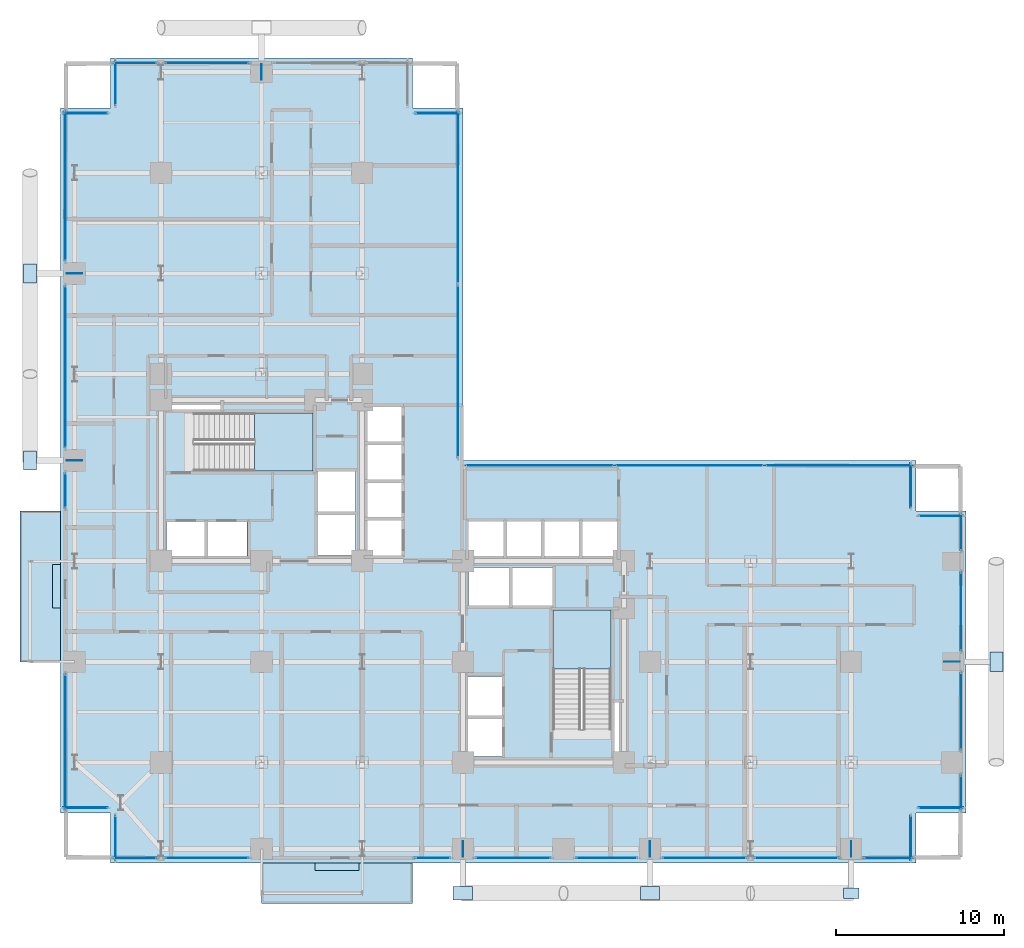
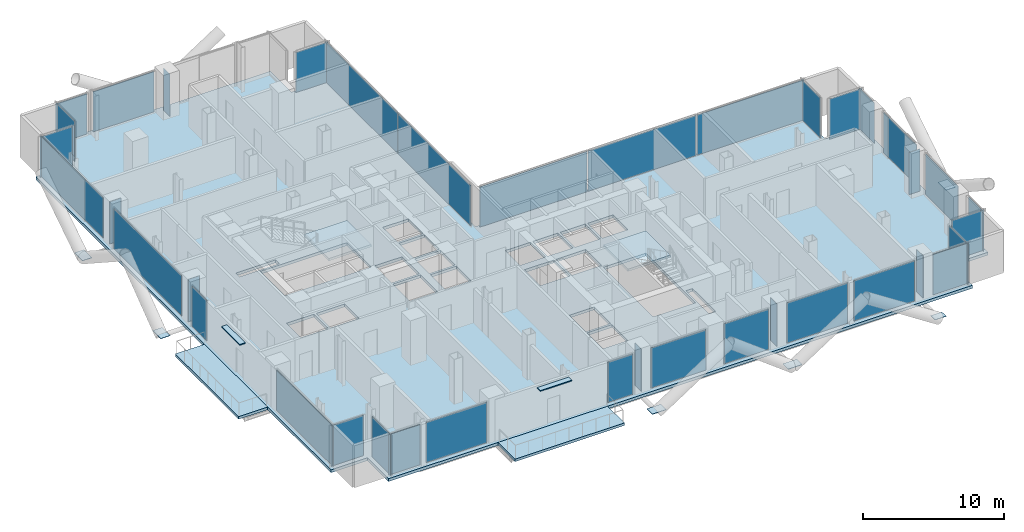
# One storey, part 17 of 25: 47 plates, 5 slabs, 31 elements without a shape of their own.
"""IFC4 building model written with IfcOpenShell, lengths in metres."""

from ifc_helpers import new_model, si_unit, direction, frame, origin, origin_2d, place, context, subcontext, project, spatial, polyline, rectangle, outline, extrude, material, layer, layer_set, type_object, element, aggregate, save


model = new_model("IFC4")

# Units and contexts
model_context = context("Model", 3, precision=1e-05, world=origin(), true_north=direction((0.0, 1.0)))
body_context = subcontext(model_context, "Body", "Model", "MODEL_VIEW")
ifc_project = project(units=[si_unit("LENGTHUNIT", "METRE"), si_unit("AREAUNIT", "SQUARE_METRE"), si_unit("VOLUMEUNIT", "CUBIC_METRE"), si_unit("PLANEANGLEUNIT", "RADIAN"), si_unit("MASSUNIT", "GRAM", prefix="KILO"), si_unit("THERMODYNAMICTEMPERATUREUNIT", "KELVIN"), si_unit("POWERUNIT", "WATT")], contexts=[model_context])

# Site, building, storey
site_placement = place(None, origin())
site = spatial("IfcSite", under=ifc_project, at=site_placement, CompositionType="ELEMENT")
building_placement = place(site_placement, origin())
building = spatial("IfcBuilding", under=site, at=building_placement, Name="Svarakhadi Broadcast Tower", CompositionType="ELEMENT")
storey_placement = place(building_placement, frame((0.0, 0.0, 83.10009765625)))
storey = spatial("IfcBuildingStorey", under=building, at=storey_placement, Name="L19", CompositionType="ELEMENT", Elevation=83.10009765625)

# Curtain wall, plate
ifc_material_1 = material(Name="Anodised Bronze Aluminium AA 6063-T6", Category="aluminium")
ifc_layer_1 = layer(ifc_material_1, 0.219970703125)
ifc_layer_set_1 = layer_set([ifc_layer_1], Name="Anodised Bronze Aluminium AA 6063-T6")
curtain_wall_type = type_object("IfcCurtainWallType", Name="CW_Sys_02", PredefinedType="NOTDEFINED", material=ifc_layer_set_1)
curtain_wall_1_placement = place(storey_placement, origin())
curtain_wall_1 = element("IfcCurtainWall", 1, at=curtain_wall_1_placement, inside=storey, type_object=curtain_wall_type, Name="L19 Unitised Facade Curtain Wall 01", PredefinedType="NOTDEFINED")
ifc_material_2 = material(Name="Double Low-E Laminated Acoustic Glass IGU 36 mm", Category="glass")
ifc_layer_2 = layer(ifc_material_2, 0.035888671875)
ifc_layer_set_2 = layer_set([ifc_layer_2], Name="Double Low-E Laminated Acoustic Glass IGU 36 mm")
plate_type_1 = type_object("IfcPlateType", Name="CW_Sys_02_Pnl", PredefinedType="CURTAIN_PANEL", material=ifc_layer_set_2)
plate_1_placement = place(storey_placement, frame((1.5, 3.300048828125, 0.074951171875), z_axis=(0.0, 0.0, 1.0), x_axis=(-1.0, 0.0, 0.0)))
plate_1 = element("IfcPlate", 2, at=plate_1_placement, type_object=plate_type_1, Name="CW-02 panel 1.1", PredefinedType="CURTAIN_PANEL", context=body_context, shape_type="SweptSolid", body=[
    extrude(rectangle(XDim=2.64990234375, YDim=0.035888671875, at=origin_2d()), origin(), (0.0, 0.0, 1.0), 3.5),
])
aggregate(curtain_wall_1, [plate_1])

curtain_wall_2_placement = place(storey_placement, origin())
curtain_wall_2 = element("IfcCurtainWall", 3, at=curtain_wall_2_placement, inside=storey, type_object=curtain_wall_type, Name="L19 West Curtain Wall 02", PredefinedType="NOTDEFINED")
plate_2_placement = place(storey_placement, frame((0.300048828125, 7.2099609375, 0.074951171875), z_axis=(0.0, 0.0, 1.0), x_axis=(0.0, 1.0, 0.0)))
plate_2 = element("IfcPlate", 4, at=plate_2_placement, type_object=plate_type_1, Name="CW-02 panel 1.1", PredefinedType="CURTAIN_PANEL", context=body_context, shape_type="SweptSolid", body=[
    extrude(rectangle(XDim=8.070068359375, YDim=0.035888671875, at=origin_2d()), origin(), (0.0, 0.0, 1.0), 3.5),
])
aggregate(curtain_wall_2, [plate_2])

curtain_wall_3_placement = place(storey_placement, origin())
curtain_wall_3 = element("IfcCurtainWall", 5, at=curtain_wall_3_placement, inside=storey, type_object=curtain_wall_type, Name="L19 West Curtain Wall 03 Bay 1", PredefinedType="NOTDEFINED")
plate_3_placement = place(storey_placement, frame((0.300048828125, 22.2099609375, 0.074951171875), z_axis=(0.0, 0.0, 1.0), x_axis=(0.0, 1.0, 0.0)))
plate_3 = element("IfcPlate", 6, at=plate_3_placement, type_object=plate_type_1, Name="CW-02 panel 1.1", PredefinedType="CURTAIN_PANEL", context=body_context, shape_type="SweptSolid", body=[
    extrude(rectangle(XDim=2.070068359375, YDim=0.035888671875, at=origin_2d()), origin(), (0.0, 0.0, 1.0), 3.5),
])
aggregate(curtain_wall_3, [plate_3])

curtain_wall_4_placement = place(storey_placement, origin())
curtain_wall_4 = element("IfcCurtainWall", 7, at=curtain_wall_4_placement, inside=storey, type_object=curtain_wall_type, Name="L19 West Curtain Wall 03 Bay 2", PredefinedType="NOTDEFINED")
plate_4_placement = place(storey_placement, frame((0.300048828125, 29.574951171875, 0.074951171875), z_axis=(0.0, 0.0, 1.0), x_axis=(0.0, 1.0, 0.0)))
plate_4 = element("IfcPlate", 8, at=plate_4_placement, type_object=plate_type_1, Name="CW-02 panel 1.1", PredefinedType="CURTAIN_PANEL", context=body_context, shape_type="SweptSolid", body=[
    extrude(rectangle(XDim=9.639892578125, YDim=0.035888671875, at=origin_2d()), origin(), (0.0, 0.0, 1.0), 3.5),
])
aggregate(curtain_wall_4, [plate_4])

curtain_wall_5_placement = place(storey_placement, origin())
curtain_wall_5 = element("IfcCurtainWall", 9, at=curtain_wall_5_placement, inside=storey, type_object=curtain_wall_type, Name="L19 West Curtain Wall 03 Bay 3", PredefinedType="NOTDEFINED")
plate_5_placement = place(storey_placement, frame((0.300048828125, 40.364990234375, 0.074951171875), z_axis=(0.0, 0.0, 1.0), x_axis=(0.0, 1.0, 0.0)))
plate_5 = element("IfcPlate", 10, at=plate_5_placement, type_object=plate_type_1, Name="CW-02 panel 1.1", PredefinedType="CURTAIN_PANEL", context=body_context, shape_type="SweptSolid", body=[
    extrude(rectangle(XDim=8.919921875, YDim=0.035888671875, at=origin_2d()), origin(), (0.0, 0.0, 1.0), 3.5),
])
aggregate(curtain_wall_5, [plate_5])

curtain_wall_6_placement = place(storey_placement, origin())
curtain_wall_6 = element("IfcCurtainWall", 11, at=curtain_wall_6_placement, inside=storey, type_object=curtain_wall_type, Name="L19 Unitised Facade Curtain Wall 04", PredefinedType="NOTDEFINED")
plate_6_placement = place(storey_placement, frame((1.5, 44.699951171875, 0.074951171875), z_axis=(0.0, 0.0, 1.0), x_axis=(1.0, 0.0, 0.0)))
plate_6 = element("IfcPlate", 12, at=plate_6_placement, type_object=plate_type_1, Name="CW-02 panel 1.1", PredefinedType="CURTAIN_PANEL", context=body_context, shape_type="SweptSolid", body=[
    extrude(rectangle(XDim=2.64990234375, YDim=0.035888671875, at=origin_2d()), origin(), (0.0, 0.0, 1.0), 3.5),
])
aggregate(curtain_wall_6, [plate_6])

curtain_wall_7_placement = place(storey_placement, origin())
curtain_wall_7 = element("IfcCurtainWall", 13, at=curtain_wall_7_placement, inside=storey, type_object=curtain_wall_type, Name="L19 Unitised Facade Curtain Wall 05", PredefinedType="NOTDEFINED")
plate_7_placement = place(storey_placement, frame((3.300048828125, 46.5, 0.074951171875), z_axis=(0.0, 0.0, 1.0), x_axis=(0.0, 1.0, 0.0)))
plate_7 = element("IfcPlate", 14, at=plate_7_placement, type_object=plate_type_1, Name="CW-02 panel 1.1", PredefinedType="CURTAIN_PANEL", context=body_context, shape_type="SweptSolid", body=[
    extrude(rectangle(XDim=2.64990234375, YDim=0.035888671875, at=origin_2d()), origin(), (0.0, 0.0, 1.0), 3.5),
])
aggregate(curtain_wall_7, [plate_7])

curtain_wall_8_placement = place(storey_placement, origin())
curtain_wall_8 = element("IfcCurtainWall", 15, at=curtain_wall_8_placement, inside=storey, type_object=curtain_wall_type, Name="L19 Unitised Facade Curtain Wall 06 Bay 1", PredefinedType="NOTDEFINED")
plate_8_placement = place(storey_placement, frame((4.4599609375, 47.699951171875, 0.074951171875), z_axis=(0.0, 0.0, 1.0), x_axis=(1.0, 0.0, 0.0)))
plate_8 = element("IfcPlate", 16, at=plate_8_placement, type_object=plate_type_1, Name="CW-02 panel 1.1", PredefinedType="CURTAIN_PANEL", context=body_context, shape_type="SweptSolid", body=[
    extrude(rectangle(XDim=2.570068359375, YDim=0.035888671875, at=origin_2d()), origin(), (0.0, 0.0, 1.0), 3.5),
])
aggregate(curtain_wall_8, [plate_8])

curtain_wall_9_placement = place(storey_placement, origin())
curtain_wall_9 = element("IfcCurtainWall", 17, at=curtain_wall_9_placement, inside=storey, type_object=curtain_wall_type, Name="L19 Unitised Facade Curtain Wall 06 Bay 2", PredefinedType="NOTDEFINED")
plate_9_placement = place(storey_placement, frame((8.75, 47.699951171875, 0.074951171875), z_axis=(0.0, 0.0, 1.0), x_axis=(1.0, 0.0, 0.0)))
plate_9 = element("IfcPlate", 18, at=plate_9_placement, type_object=plate_type_1, Name="CW-02 panel 1.1", PredefinedType="CURTAIN_PANEL", context=body_context, shape_type="SweptSolid", body=[
    extrude(rectangle(XDim=4.989990234375, YDim=0.035888671875, at=origin_2d()), origin(), (0.0, 0.0, 1.0), 3.5),
])
aggregate(curtain_wall_9, [plate_9])

curtain_wall_10_placement = place(storey_placement, origin())
curtain_wall_10 = element("IfcCurtainWall", 19, at=curtain_wall_10_placement, inside=storey, type_object=curtain_wall_type, Name="L19 Unitised Facade Curtain Wall 08", PredefinedType="NOTDEFINED")
plate_10_placement = place(storey_placement, frame((22.5, 44.699951171875, 0.074951171875), z_axis=(0.0, 0.0, 1.0), x_axis=(1.0, 0.0, 0.0)))
plate_10 = element("IfcPlate", 20, at=plate_10_placement, type_object=plate_type_1, Name="CW-02 panel 1.1", PredefinedType="CURTAIN_PANEL", context=body_context, shape_type="SweptSolid", body=[
    extrude(rectangle(XDim=2.64990234375, YDim=0.035888671875, at=origin_2d()), origin(), (0.0, 0.0, 1.0), 3.5),
])
aggregate(curtain_wall_10, [plate_10])

# Curtain wall, plates
curtain_wall_11_placement = place(storey_placement, origin())
curtain_wall_11 = element("IfcCurtainWall", 21, at=curtain_wall_11_placement, inside=storey, type_object=curtain_wall_type, Name="L19 Unitised Facade Curtain Wall 09", PredefinedType="NOTDEFINED")
plate_11_placement = place(storey_placement, frame((23.699951171875, 39.683837890625, 0.074951171875), z_axis=(0.0, 0.0, 1.0), x_axis=(0.0, -1.0, 0.0)))
plate_11 = element("IfcPlate", 22, at=plate_11_placement, type_object=plate_type_1, Name="CW-02 panel 1.1", PredefinedType="CURTAIN_PANEL", context=body_context, shape_type="SweptSolid", body=[
    extrude(rectangle(XDim=10.282470703125, YDim=0.035888671875, at=origin_2d()), origin(), (0.0, 0.0, 1.0), 3.5),
])
plate_12_placement = place(storey_placement, frame((23.699951171875, 29.316162109375, 0.074951171875), z_axis=(0.0, 0.0, 1.0), x_axis=(0.0, -1.0, 0.0)))
plate_12 = element("IfcPlate", 23, at=plate_12_placement, type_object=plate_type_1, Name="CW-02 panel 2.1", PredefinedType="CURTAIN_PANEL", context=body_context, shape_type="SweptSolid", body=[
    extrude(rectangle(XDim=10.282470703125, YDim=0.035888671875, at=origin_2d()), origin(), (0.0, 0.0, 1.0), 3.5),
])
aggregate(curtain_wall_11, [plate_11, plate_12])

curtain_wall_12_placement = place(storey_placement, origin())
curtain_wall_12 = element("IfcCurtainWall", 24, at=curtain_wall_12_placement, inside=storey, type_object=curtain_wall_type, Name="L19 Unitised Facade Curtain Wall 10", PredefinedType="NOTDEFINED")
plate_13_placement = place(storey_placement, frame((28.581298828125, 23.699951171875, 0.074951171875), z_axis=(0.0, 0.0, 1.0), x_axis=(1.0, 0.0, 0.0)))
plate_13 = element("IfcPlate", 25, at=plate_13_placement, type_object=plate_type_1, Name="CW-02 panel 1.1", PredefinedType="CURTAIN_PANEL", context=body_context, shape_type="SweptSolid", body=[
    extrude(rectangle(XDim=8.8125, YDim=0.035888671875, at=origin_2d()), origin(), (0.0, 0.0, 1.0), 3.5),
])
plate_14_placement = place(storey_placement, frame((37.5, 23.699951171875, 0.074951171875), z_axis=(0.0, 0.0, 1.0), x_axis=(1.0, 0.0, 0.0)))
plate_14 = element("IfcPlate", 26, at=plate_14_placement, type_object=plate_type_1, Name="CW-02 panel 2.1", PredefinedType="CURTAIN_PANEL", context=body_context, shape_type="SweptSolid", body=[
    extrude(rectangle(XDim=8.85498046875, YDim=0.035888671875, at=origin_2d()), origin(), (0.0, 0.0, 1.0), 3.5),
])
plate_15_placement = place(storey_placement, frame((46.418701171875, 23.699951171875, 0.074951171875), z_axis=(0.0, 0.0, 1.0), x_axis=(1.0, 0.0, 0.0)))
plate_15 = element("IfcPlate", 27, at=plate_15_placement, type_object=plate_type_1, Name="CW-02 panel 3.1", PredefinedType="CURTAIN_PANEL", context=body_context, shape_type="SweptSolid", body=[
    extrude(rectangle(XDim=8.8125, YDim=0.035888671875, at=origin_2d()), origin(), (0.0, 0.0, 1.0), 3.5),
])
aggregate(curtain_wall_12, [plate_13, plate_14, plate_15])

# Curtain wall, plate
curtain_wall_13_placement = place(storey_placement, origin())
curtain_wall_13 = element("IfcCurtainWall", 28, at=curtain_wall_13_placement, inside=storey, type_object=curtain_wall_type, Name="L19 Unitised Facade Curtain Wall 11", PredefinedType="NOTDEFINED")
plate_16_placement = place(storey_placement, frame((50.699951171875, 22.5, 0.074951171875), z_axis=(0.0, 0.0, 1.0), x_axis=(0.0, -1.0, 0.0)))
plate_16 = element("IfcPlate", 29, at=plate_16_placement, type_object=plate_type_1, Name="CW-02 panel 1.1", PredefinedType="CURTAIN_PANEL", context=body_context, shape_type="SweptSolid", body=[
    extrude(rectangle(XDim=2.64990234375, YDim=0.035888671875, at=origin_2d()), origin(), (0.0, 0.0, 1.0), 3.5),
])
aggregate(curtain_wall_13, [plate_16])

curtain_wall_14_placement = place(storey_placement, origin())
curtain_wall_14 = element("IfcCurtainWall", 30, at=curtain_wall_14_placement, inside=storey, type_object=curtain_wall_type, Name="L19 Unitised Facade Curtain Wall 12", PredefinedType="NOTDEFINED")
plate_17_placement = place(storey_placement, frame((52.5, 20.699951171875, 0.074951171875), z_axis=(0.0, 0.0, 1.0), x_axis=(1.0, 0.0, 0.0)))
plate_17 = element("IfcPlate", 31, at=plate_17_placement, type_object=plate_type_1, Name="CW-02 panel 1.1", PredefinedType="CURTAIN_PANEL", context=body_context, shape_type="SweptSolid", body=[
    extrude(rectangle(XDim=2.64990234375, YDim=0.035888671875, at=origin_2d()), origin(), (0.0, 0.0, 1.0), 3.5),
])
aggregate(curtain_wall_14, [plate_17])

curtain_wall_15_placement = place(storey_placement, origin())
curtain_wall_15 = element("IfcCurtainWall", 32, at=curtain_wall_15_placement, inside=storey, type_object=curtain_wall_type, Name="L19 Unitised Facade Curtain Wall 13 Bay 1", PredefinedType="NOTDEFINED")
plate_18_placement = place(storey_placement, frame((53.699951171875, 19.739990234375, 0.074951171875), z_axis=(0.0, 0.0, 1.0), x_axis=(0.0, -1.0, 0.0)))
plate_18 = element("IfcPlate", 33, at=plate_18_placement, type_object=plate_type_1, Name="CW-02 panel 1.1", PredefinedType="CURTAIN_PANEL", context=body_context, shape_type="SweptSolid", body=[
    extrude(rectangle(XDim=2.169921875, YDim=0.035888671875, at=origin_2d()), origin(), (0.0, 0.0, 1.0), 3.5),
])
aggregate(curtain_wall_15, [plate_18])

curtain_wall_16_placement = place(storey_placement, origin())
curtain_wall_16 = element("IfcCurtainWall", 34, at=curtain_wall_16_placement, inside=storey, type_object=curtain_wall_type, Name="L19 Unitised Facade Curtain Wall 13 Bay 2", PredefinedType="NOTDEFINED")
plate_19_placement = place(storey_placement, frame((53.699951171875, 15.0, 0.074951171875), z_axis=(0.0, 0.0, 1.0), x_axis=(0.0, -1.0, 0.0)))
plate_19 = element("IfcPlate", 35, at=plate_19_placement, type_object=plate_type_1, Name="CW-02 panel 1.1", PredefinedType="CURTAIN_PANEL", context=body_context, shape_type="SweptSolid", body=[
    extrude(rectangle(XDim=4.68994140625, YDim=0.035888671875, at=origin_2d()), origin(), (0.0, 0.0, 1.0), 3.5),
])
aggregate(curtain_wall_16, [plate_19])

curtain_wall_17_placement = place(storey_placement, origin())
curtain_wall_17 = element("IfcCurtainWall", 36, at=curtain_wall_17_placement, inside=storey, type_object=curtain_wall_type, Name="L19 Unitised Facade Curtain Wall 13 Bay 3", PredefinedType="NOTDEFINED")
plate_20_placement = place(storey_placement, frame((53.699951171875, 9.050048828125, 0.074951171875), z_axis=(0.0, 0.0, 1.0), x_axis=(0.0, -1.0, 0.0)))
plate_20 = element("IfcPlate", 37, at=plate_20_placement, type_object=plate_type_1, Name="CW-02 panel 1.1", PredefinedType="CURTAIN_PANEL", context=body_context, shape_type="SweptSolid", body=[
    extrude(rectangle(XDim=4.590087890625, YDim=0.035888671875, at=origin_2d()), origin(), (0.0, 0.0, 1.0), 3.5),
])
aggregate(curtain_wall_17, [plate_20])

curtain_wall_18_placement = place(storey_placement, origin())
curtain_wall_18 = element("IfcCurtainWall", 38, at=curtain_wall_18_placement, inside=storey, type_object=curtain_wall_type, Name="L19 Unitised Facade Curtain Wall 13 Bay 4", PredefinedType="NOTDEFINED")
plate_21_placement = place(storey_placement, frame((53.699951171875, 4.2099609375, 0.074951171875), z_axis=(0.0, 0.0, 1.0), x_axis=(0.0, -1.0, 0.0)))
plate_21 = element("IfcPlate", 39, at=plate_21_placement, type_object=plate_type_1, Name="CW-02 panel 1.1", PredefinedType="CURTAIN_PANEL", context=body_context, shape_type="SweptSolid", body=[
    extrude(rectangle(XDim=2.070068359375, YDim=0.035888671875, at=origin_2d()), origin(), (0.0, 0.0, 1.0), 3.5),
])
aggregate(curtain_wall_18, [plate_21])

curtain_wall_19_placement = place(storey_placement, origin())
curtain_wall_19 = element("IfcCurtainWall", 40, at=curtain_wall_19_placement, inside=storey, type_object=curtain_wall_type, Name="L19 Unitised Facade Curtain Wall 14", PredefinedType="NOTDEFINED")
plate_22_placement = place(storey_placement, frame((52.5, 3.300048828125, 0.074951171875), z_axis=(0.0, 0.0, 1.0), x_axis=(-1.0, 0.0, 0.0)))
plate_22 = element("IfcPlate", 41, at=plate_22_placement, type_object=plate_type_1, Name="CW-02 panel 1.1", PredefinedType="CURTAIN_PANEL", context=body_context, shape_type="SweptSolid", body=[
    extrude(rectangle(XDim=2.64990234375, YDim=0.035888671875, at=origin_2d()), origin(), (0.0, 0.0, 1.0), 3.5),
])
aggregate(curtain_wall_19, [plate_22])

curtain_wall_20_placement = place(storey_placement, origin())
curtain_wall_20 = element("IfcCurtainWall", 42, at=curtain_wall_20_placement, inside=storey, type_object=curtain_wall_type, Name="L19 Unitised Facade Curtain Wall 15", PredefinedType="NOTDEFINED")
plate_23_placement = place(storey_placement, frame((50.699951171875, 1.5, 0.074951171875), z_axis=(0.0, 0.0, 1.0), x_axis=(0.0, -1.0, 0.0)))
plate_23 = element("IfcPlate", 43, at=plate_23_placement, type_object=plate_type_1, Name="CW-02 panel 1.1", PredefinedType="CURTAIN_PANEL", context=body_context, shape_type="SweptSolid", body=[
    extrude(rectangle(XDim=2.64990234375, YDim=0.035888671875, at=origin_2d()), origin(), (0.0, 0.0, 1.0), 3.5),
])
aggregate(curtain_wall_20, [plate_23])

curtain_wall_21_placement = place(storey_placement, origin())
curtain_wall_21 = element("IfcCurtainWall", 44, at=curtain_wall_21_placement, inside=storey, type_object=curtain_wall_type, Name="L19 South Curtain Wall 16 Bay 1", PredefinedType="NOTDEFINED")
plate_24_placement = place(storey_placement, frame((49.364990234375, 0.300048828125, 0.074951171875), z_axis=(0.0, 0.0, 1.0), x_axis=(-1.0, 0.0, 0.0)))
plate_24 = element("IfcPlate", 45, at=plate_24_placement, type_object=plate_type_1, Name="CW-02 panel 1.1", PredefinedType="CURTAIN_PANEL", context=body_context, shape_type="SweptSolid", body=[
    extrude(rectangle(XDim=2.919921875, YDim=0.035888671875, at=origin_2d()), origin(), (0.0, 0.0, 1.0), 3.5),
])
aggregate(curtain_wall_21, [plate_24])

curtain_wall_22_placement = place(storey_placement, origin())
curtain_wall_22 = element("IfcCurtainWall", 46, at=curtain_wall_22_placement, inside=storey, type_object=curtain_wall_type, Name="L19 South Curtain Wall 16 Bay 2", PredefinedType="NOTDEFINED")
plate_25_placement = place(storey_placement, frame((43.89990234375, 0.300048828125, 0.074951171875), z_axis=(0.0, 0.0, 1.0), x_axis=(-1.0, 0.0, 0.0)))
plate_25 = element("IfcPlate", 47, at=plate_25_placement, type_object=plate_type_1, Name="CW-02 panel 1.1", PredefinedType="CURTAIN_PANEL", context=body_context, shape_type="SweptSolid", body=[
    extrude(rectangle(XDim=4.989990234375, YDim=0.035888671875, at=origin_2d()), origin(), (0.0, 0.0, 1.0), 3.5),
])
aggregate(curtain_wall_22, [plate_25])

curtain_wall_23_placement = place(storey_placement, origin())
curtain_wall_23 = element("IfcCurtainWall", 48, at=curtain_wall_23_placement, inside=storey, type_object=curtain_wall_type, Name="L19 South Curtain Wall 16 Bay 3", PredefinedType="NOTDEFINED")
plate_26_placement = place(storey_placement, frame((38.39990234375, 0.300048828125, 0.074951171875), z_axis=(0.0, 0.0, 1.0), x_axis=(-1.0, 0.0, 0.0)))
plate_26 = element("IfcPlate", 49, at=plate_26_placement, type_object=plate_type_1, Name="CW-02 panel 1.1", PredefinedType="CURTAIN_PANEL", context=body_context, shape_type="SweptSolid", body=[
    extrude(rectangle(XDim=4.989990234375, YDim=0.035888671875, at=origin_2d()), origin(), (0.0, 0.0, 1.0), 3.5),
])
aggregate(curtain_wall_23, [plate_26])

curtain_wall_24_placement = place(storey_placement, origin())
curtain_wall_24 = element("IfcCurtainWall", 50, at=curtain_wall_24_placement, inside=storey, type_object=curtain_wall_type, Name="L19 South Curtain Wall 16 Bay 4", PredefinedType="NOTDEFINED")
plate_27_placement = place(storey_placement, frame((32.574951171875, 0.300048828125, 0.074951171875), z_axis=(0.0, 0.0, 1.0), x_axis=(-1.0, 0.0, 0.0)))
plate_27 = element("IfcPlate", 51, at=plate_27_placement, type_object=plate_type_1, Name="CW-02 panel 1.1", PredefinedType="CURTAIN_PANEL", context=body_context, shape_type="SweptSolid", body=[
    extrude(rectangle(XDim=3.639892578125, YDim=0.035888671875, at=origin_2d()), origin(), (0.0, 0.0, 1.0), 3.5),
])
aggregate(curtain_wall_24, [plate_27])

curtain_wall_25_placement = place(storey_placement, origin())
curtain_wall_25 = element("IfcCurtainWall", 52, at=curtain_wall_25_placement, inside=storey, type_object=curtain_wall_type, Name="L19 South Curtain Wall 16 Bay 5", PredefinedType="NOTDEFINED")
plate_28_placement = place(storey_placement, frame((27.0, 0.300048828125, 0.074951171875), z_axis=(0.0, 0.0, 1.0), x_axis=(-1.0, 0.0, 0.0)))
plate_28 = element("IfcPlate", 53, at=plate_28_placement, type_object=plate_type_1, Name="CW-02 panel 1.1", PredefinedType="CURTAIN_PANEL", context=body_context, shape_type="SweptSolid", body=[
    extrude(rectangle(XDim=4.489990234375, YDim=0.035888671875, at=origin_2d()), origin(), (0.0, 0.0, 1.0), 3.5),
])
aggregate(curtain_wall_25, [plate_28])

curtain_wall_26_placement = place(storey_placement, origin())
curtain_wall_26 = element("IfcCurtainWall", 54, at=curtain_wall_26_placement, inside=storey, type_object=curtain_wall_type, Name="L19 South Curtain Wall 16 Bay 6", PredefinedType="NOTDEFINED")
plate_29_placement = place(storey_placement, frame((22.2099609375, 0.300048828125, 0.074951171875), z_axis=(0.0, 0.0, 1.0), x_axis=(-1.0, 0.0, 0.0)))
plate_29 = element("IfcPlate", 55, at=plate_29_placement, type_object=plate_type_1, Name="CW-02 panel 1.1", PredefinedType="CURTAIN_PANEL", context=body_context, shape_type="SweptSolid", body=[
    extrude(rectangle(XDim=2.070068359375, YDim=0.035888671875, at=origin_2d()), origin(), (0.0, 0.0, 1.0), 3.5),
])
aggregate(curtain_wall_26, [plate_29])

curtain_wall_27_placement = place(storey_placement, origin())
curtain_wall_27 = element("IfcCurtainWall", 56, at=curtain_wall_27_placement, inside=storey, type_object=curtain_wall_type, Name="L19 South Curtain Wall 17 Bay 1", PredefinedType="NOTDEFINED")
plate_30_placement = place(storey_placement, frame((8.75, 0.300048828125, 0.074951171875), z_axis=(0.0, 0.0, 1.0), x_axis=(-1.0, 0.0, 0.0)))
plate_30 = element("IfcPlate", 57, at=plate_30_placement, type_object=plate_type_1, Name="CW-02 panel 1.1", PredefinedType="CURTAIN_PANEL", context=body_context, shape_type="SweptSolid", body=[
    extrude(rectangle(XDim=4.989990234375, YDim=0.035888671875, at=origin_2d()), origin(), (0.0, 0.0, 1.0), 3.5),
])
aggregate(curtain_wall_27, [plate_30])

curtain_wall_28_placement = place(storey_placement, origin())
curtain_wall_28 = element("IfcCurtainWall", 58, at=curtain_wall_28_placement, inside=storey, type_object=curtain_wall_type, Name="L19 South Curtain Wall 17 Bay 2", PredefinedType="NOTDEFINED")
plate_31_placement = place(storey_placement, frame((4.4599609375, 0.300048828125, 0.074951171875), z_axis=(0.0, 0.0, 1.0), x_axis=(-1.0, 0.0, 0.0)))
plate_31 = element("IfcPlate", 59, at=plate_31_placement, type_object=plate_type_1, Name="CW-02 panel 1.1", PredefinedType="CURTAIN_PANEL", context=body_context, shape_type="SweptSolid", body=[
    extrude(rectangle(XDim=2.570068359375, YDim=0.035888671875, at=origin_2d()), origin(), (0.0, 0.0, 1.0), 3.5),
])
aggregate(curtain_wall_28, [plate_31])

curtain_wall_29_placement = place(storey_placement, origin())
curtain_wall_29 = element("IfcCurtainWall", 60, at=curtain_wall_29_placement, inside=storey, type_object=curtain_wall_type, Name="L19 Unitised Facade Curtain Wall 18", PredefinedType="NOTDEFINED")
plate_32_placement = place(storey_placement, frame((3.300048828125, 1.5, 0.074951171875), z_axis=(0.0, 0.0, 1.0), x_axis=(0.0, 1.0, 0.0)))
plate_32 = element("IfcPlate", 61, at=plate_32_placement, type_object=plate_type_1, Name="CW-02 panel 1.1", PredefinedType="CURTAIN_PANEL", context=body_context, shape_type="SweptSolid", body=[
    extrude(rectangle(XDim=2.64990234375, YDim=0.035888671875, at=origin_2d()), origin(), (0.0, 0.0, 1.0), 3.5),
])
aggregate(curtain_wall_29, [plate_32])

# Plates
ifc_material_3 = material(Name="Steel S460ML (IS 2062 E450BR)", Category="steel")
ifc_layer_3 = layer(ifc_material_3, 0.035888671875)
ifc_layer_set_3 = layer_set([ifc_layer_3], Name="Steel S460ML (IS 2062 E450BR)")
plate_type_2 = type_object("IfcPlateType", Name="Node_Gusset_N01", PredefinedType="SHEET", material=ifc_layer_set_3)
for number, where, z_axis, x_axis, name in (
    (62, (24.0, -1.800048828125, -0.25), (0.0, 0.0, 1.0), (1.0, 0.0, 0.0), "L19 Exoskeleton Gusset Node Plate S01"),
    (63, (35.14990234375, -1.800048828125, -0.25), (0.0, 0.0, 1.0), (1.0, 0.0, 0.0), "L19 Exoskeleton Gusset Node Plate S02"),
    (64, (-1.800048828125, 24.0, -0.25), (0.0, 0.0, 1.0), (0.0, 1.0, 0.0), "L19 Exoskeleton Gusset Node Plate W04"),
    (65, (-1.800048828125, 35.14990234375, -0.25), (0.0, 0.0, 1.0), (0.0, 1.0, 0.0), "L19 Exoskeleton Gusset Node Plate W05"),
    (66, (55.800048828125, 12.0, -0.25), (0.0, 0.0, 1.0), (0.0, 1.0, 0.0), "L19 Exoskeleton Gusset Node Plate E06"),
):
    element("IfcPlate", number, at=place(storey_placement, frame(where, z_axis=z_axis, x_axis=x_axis)), inside=storey, type_object=plate_type_2, Name=name, PredefinedType="SHEET", context=body_context, shape_type="SweptSolid", body=[
        extrude(rectangle(XDim=1.14990234375, YDim=0.780029296875, at=origin_2d()), origin(), (0.0, 0.0, 1.0), 0.035888671875),
    ])
ifc_layer_4 = layer(ifc_material_3, 0.02587890625)
ifc_layer_set_4 = layer_set([ifc_layer_4], Name="Steel S460ML (IS 2062 E450BR)")
plate_type_3 = type_object("IfcPlateType", Name="Node_Gusset_N07", PredefinedType="SHEET", material=ifc_layer_set_4)
plate_33_placement = place(storey_placement, frame((47.14990234375, -1.800048828125, -0.25), z_axis=(0.0, 0.0, 1.0), x_axis=(1.0, 0.0, 0.0)))
element("IfcPlate", 67, at=plate_33_placement, inside=storey, type_object=plate_type_3, Name="L19 Exoskeleton Gusset Node Plate S03", PredefinedType="SHEET", context=body_context, shape_type="SweptSolid", body=[
    extrude(rectangle(XDim=0.919921875, YDim=0.6201171875, at=origin_2d()), origin(), (0.0, 0.0, 1.0), 0.02587890625),
])
for number, where, z_axis, x_axis, name in (
    (68, (24.0, 0.85009765625, -0.6279296875), (0.0, 0.0, 1.0), (0.0, 1.0, 0.0), "L19 Brace End Connection Gusset Plate N-07-E0141"),
    (69, (35.14990234375, 0.85009765625, -0.6279296875), (0.0, 0.0, 1.0), (0.0, 1.0, 0.0), "L19 Brace End Connection Gusset Plate N-07-E0142"),
    (70, (47.14990234375, 0.85009765625, -0.6279296875), (0.0, 0.0, 1.0), (0.0, 1.0, 0.0), "L19 Brace End Connection Gusset Plate N-07-E0143"),
    (71, (0.85009765625, 24.0, -0.6279296875), (0.0, 0.0, 1.0), (1.0, 0.0, 0.0), "L19 Brace End Connection Gusset Plate N-07-E0144"),
    (72, (0.85009765625, 35.14990234375, -0.6279296875), (0.0, 0.0, 1.0), (1.0, 0.0, 0.0), "L19 Brace End Connection Gusset Plate N-07-E0145"),
    (73, (53.14990234375, 12.0, -0.6279296875), (0.0, 0.0, 1.0), (1.0, 0.0, 0.0), "L19 Brace End Connection Gusset Plate N-07-E0146"),
    (74, (12.0, 47.14990234375, -0.6279296875), (0.0, 0.0, 1.0), (0.0, 1.0, 0.0), "L19 Brace End Connection Gusset Plate N-07-E0147"),
):
    element("IfcPlate", number, at=place(storey_placement, frame(where, z_axis=z_axis, x_axis=x_axis)), inside=storey, type_object=plate_type_3, Name=name, PredefinedType="SHEET", context=body_context, shape_type="SweptSolid", body=[
        extrude(rectangle(XDim=0.919921875, YDim=0.02587890625, at=origin_2d()), origin(), (0.0, 0.0, 1.0), 4.300048828125),
    ])

# Slab
ifc_material_4 = material(Name="Concrete C40/50 (IS 456 M50)", Category="concrete")
ifc_layer_5 = layer(ifc_material_4, 0.25)
ifc_layer_set_5 = layer_set([ifc_layer_5], Name="Concrete C40/50 (IS 456 M50)")
slab_type_1 = type_object("IfcSlabType", Name="Slab_Floor_250", PredefinedType="FLOOR", material=ifc_layer_set_5)
slab_1_placement = place(storey_placement, frame((0.0, 0.0, -0.25)))
element("IfcSlab", 75, at=slab_1_placement, inside=storey, type_object=slab_type_1, Name="L19 Structural Floor Slab", PredefinedType="FLOOR", context=body_context, shape_type="SweptSolid", body=[
    extrude(outline(polyline([(3.0, 0.0), (51.0, 0.0), (51.0, 3.0), (54.0, 3.0), (54.0, 21.0), (51.0, 21.0), (51.0, 24.0), (24.0, 24.0), (24.0, 45.0), (21.0, 45.0), (21.0, 48.0), (3.0, 48.0), (3.0, 45.0), (0.0, 45.0), (0.0, 3.0), (3.0, 3.0), (3.0, 0.0)]), holes=[polyline([(7.97998046875, 23.360107421875), (15.080078125, 23.360107421875), (15.080078125, 26.840087890625), (7.97998046875, 26.840087890625), (7.97998046875, 23.360107421875)]), polyline([(32.840087890625, 7.97998046875), (32.840087890625, 15.080078125), (29.360107421875, 15.080078125), (29.360107421875, 7.97998046875), (32.840087890625, 7.97998046875)]), polyline([(6.340087890625, 18.2900390625), (8.610107421875, 18.2900390625), (8.610107421875, 20.330078125), (6.340087890625, 20.330078125), (6.340087890625, 18.2900390625)]), polyline([(8.7900390625, 18.2900390625), (11.1298828125, 18.2900390625), (11.1298828125, 20.330078125), (8.7900390625, 20.330078125), (8.7900390625, 18.2900390625)]), polyline([(24.2900390625, 6.340087890625), (26.330078125, 6.340087890625), (26.330078125, 8.610107421875), (24.2900390625, 8.610107421875), (24.2900390625, 6.340087890625)]), polyline([(24.2900390625, 8.7900390625), (26.330078125, 8.7900390625), (26.330078125, 11.1298828125), (24.2900390625, 11.1298828125), (24.2900390625, 8.7900390625)]), polyline([(6.340087890625, 26.989990234375), (9.610107421875, 26.989990234375), (9.610107421875, 27.530029296875), (6.340087890625, 27.530029296875), (6.340087890625, 26.989990234375)]), polyline([(32.989990234375, 6.340087890625), (33.530029296875, 6.340087890625), (33.530029296875, 9.610107421875), (32.989990234375, 9.610107421875), (32.989990234375, 6.340087890625)]), polyline([(15.340087890625, 18.340087890625), (17.610107421875, 18.340087890625), (17.610107421875, 20.760009765625), (15.340087890625, 20.760009765625), (15.340087890625, 18.340087890625)]), polyline([(15.340087890625, 20.93994140625), (17.610107421875, 20.93994140625), (17.610107421875, 23.360107421875), (15.340087890625, 23.360107421875), (15.340087890625, 20.93994140625)]), polyline([(24.340087890625, 15.340087890625), (26.760009765625, 15.340087890625), (26.760009765625, 17.610107421875), (24.340087890625, 17.610107421875), (24.340087890625, 15.340087890625)]), polyline([(26.93994140625, 15.340087890625), (29.360107421875, 15.340087890625), (29.360107421875, 17.610107421875), (26.93994140625, 17.610107421875), (26.93994140625, 15.340087890625)]), polyline([(18.239990234375, 18.340087890625), (20.360107421875, 18.340087890625), (20.360107421875, 20.429931640625), (18.239990234375, 20.429931640625), (18.239990234375, 18.340087890625)]), polyline([(18.239990234375, 20.610107421875), (20.360107421875, 20.610107421875), (20.360107421875, 22.679931640625), (18.239990234375, 22.679931640625), (18.239990234375, 20.610107421875)]), polyline([(18.239990234375, 22.860107421875), (20.360107421875, 22.860107421875), (20.360107421875, 24.929931640625), (18.239990234375, 24.929931640625), (18.239990234375, 22.860107421875)]), polyline([(18.239990234375, 25.110107421875), (20.360107421875, 25.110107421875), (20.360107421875, 27.2099609375), (18.239990234375, 27.2099609375), (18.239990234375, 25.110107421875)]), polyline([(24.340087890625, 18.239990234375), (26.429931640625, 18.239990234375), (26.429931640625, 20.360107421875), (24.340087890625, 20.360107421875), (24.340087890625, 18.239990234375)]), polyline([(26.610107421875, 18.239990234375), (28.679931640625, 18.239990234375), (28.679931640625, 20.360107421875), (26.610107421875, 20.360107421875), (26.610107421875, 18.239990234375)]), polyline([(28.860107421875, 18.239990234375), (30.929931640625, 18.239990234375), (30.929931640625, 20.360107421875), (28.860107421875, 20.360107421875), (28.860107421875, 18.239990234375)]), polyline([(31.110107421875, 18.239990234375), (33.2099609375, 18.239990234375), (33.2099609375, 20.360107421875), (31.110107421875, 20.360107421875), (31.110107421875, 18.239990234375)])]), origin(), (0.0, 0.0, 1.0), 0.25),
])

# Stair, slab
stair_type = type_object("IfcStairType", Name="Stair_Exit_Core", PredefinedType="HALF_TURN_STAIR", material=ifc_material_4)
stair_1_placement = place(storey_placement, origin())
stair_1 = element("IfcStair", 76, at=stair_1_placement, inside=storey, type_object=stair_type, Name="L19 West Core Protected Exit Stair ST-01", PredefinedType="HALF_TURN_STAIR")
ifc_layer_6 = layer(ifc_material_4, 0.199951171875)
ifc_layer_set_6 = layer_set([ifc_layer_6], Name="Concrete C40/50 (IS 456 M50)")
slab_type_2 = type_object("IfcSlabType", Name="Slab_Stair_Land", PredefinedType="LANDING", material=ifc_layer_set_6)
slab_2_placement = place(storey_placement, frame((0.0, 0.0, 1.75)))
slab_2 = element("IfcSlab", 77, at=slab_2_placement, type_object=slab_type_2, Name="ST-01 landing 1", PredefinedType="LANDING", context=body_context, shape_type="SweptSolid", body=[
    extrude(outline(polyline([(11.580078125, 23.360107421875), (15.080078125, 23.360107421875), (15.080078125, 26.840087890625), (11.580078125, 26.840087890625), (11.580078125, 23.360107421875)])), origin(), (0.0, 0.0, 1.0), 0.199951171875),
])
aggregate(stair_1, [slab_2])

stair_2_placement = place(storey_placement, origin())
stair_2 = element("IfcStair", 78, at=stair_2_placement, inside=storey, type_object=stair_type, Name="L19 East Core Protected Exit Stair ST-02", PredefinedType="HALF_TURN_STAIR")
slab_3_placement = place(storey_placement, frame((0.0, 0.0, 1.75)))
slab_3 = element("IfcSlab", 79, at=slab_3_placement, type_object=slab_type_2, Name="ST-02 landing 1", PredefinedType="LANDING", context=body_context, shape_type="SweptSolid", body=[
    extrude(outline(polyline([(32.840087890625, 11.580078125), (32.840087890625, 15.080078125), (29.360107421875, 15.080078125), (29.360107421875, 11.580078125), (32.840087890625, 11.580078125)])), origin(), (0.0, 0.0, 1.0), 0.199951171875),
])
aggregate(stair_2, [slab_3])

# Slabs
ifc_layer_7 = layer(ifc_material_4, 0.22509765625)
ifc_layer_set_7 = layer_set([ifc_layer_7], Name="Concrete C40/50 (IS 456 M50)")
slab_type_3 = type_object("IfcSlabType", Name="Slab_TreeBalcony", PredefinedType="FLOOR", material=ifc_layer_set_7)
slab_4_placement = place(storey_placement, frame((0.0, 0.0, -0.22509765625)))
element("IfcSlab", 80, at=slab_4_placement, inside=storey, type_object=slab_type_3, Name="L19 Planted Tree Balcony Slab BAL-S", PredefinedType="FLOOR", context=body_context, shape_type="SweptSolid", body=[
    extrude(outline(polyline([(12.0, -2.39990234375), (21.0, -2.39990234375), (21.0, 0.0), (12.0, 0.0), (12.0, -2.39990234375)])), origin(), (0.0, 0.0, 1.0), 0.22509765625),
])
slab_5_placement = place(storey_placement, frame((0.0, 0.0, -0.22509765625)))
element("IfcSlab", 81, at=slab_5_placement, inside=storey, type_object=slab_type_3, Name="L19 Planted Tree Balcony Slab BAL-W", PredefinedType="FLOOR", context=body_context, shape_type="SweptSolid", body=[
    extrude(outline(polyline([(-2.39990234375, 12.0), (0.0, 12.0), (0.0, 21.0), (-2.39990234375, 21.0), (-2.39990234375, 12.0)])), origin(), (0.0, 0.0, 1.0), 0.22509765625),
])

# Plates
ifc_layer_8 = layer(ifc_material_1, 0.080078125)
ifc_layer_set_8 = layer_set([ifc_layer_8], Name="Anodised Bronze Aluminium AA 6063-T6")
plate_type_4 = type_object("IfcPlateType", Name="Sunshade_Fin_SS01", PredefinedType="USERDEFINED", material=ifc_layer_set_8)
for number, where, z_axis, x_axis, name in (
    (82, (16.5, -0.22509765625, 3.56982421875), (0.0, 0.0, 1.0), (1.0, 0.0, 0.0), "L19 South Bronze Brise-Soleil Sunshade SS-01"),
    (83, (-0.22509765625, 16.5, 3.56982421875), (0.0, 0.0, 1.0), (0.0, 1.0, 0.0), "L19 West Bronze Brise-Soleil Sunshade SS-01"),
):
    element("IfcPlate", number, at=place(storey_placement, frame(where, z_axis=z_axis, x_axis=x_axis)), inside=storey, type_object=plate_type_4, Name=name, ObjectType="SUNSHADE", PredefinedType="USERDEFINED", context=body_context, shape_type="SweptSolid", body=[
        extrude(rectangle(XDim=2.60009765625, YDim=0.449951171875, at=origin_2d()), origin(), (0.0, 0.0, 1.0), 0.080078125),
    ])

save(model, "model.ifc")
